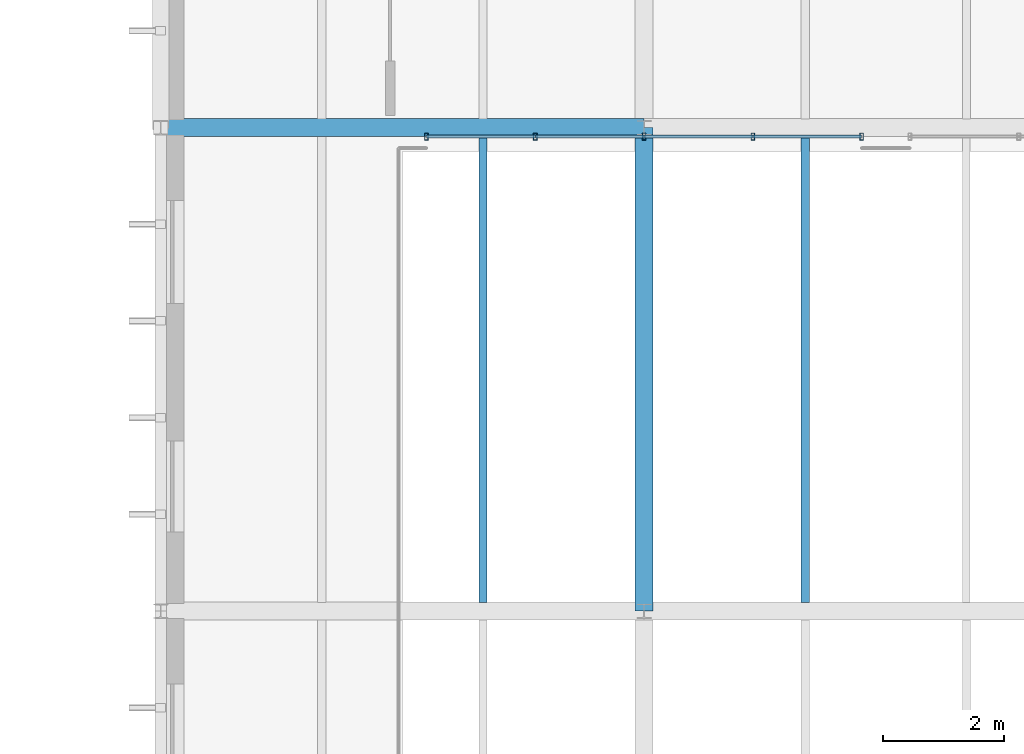
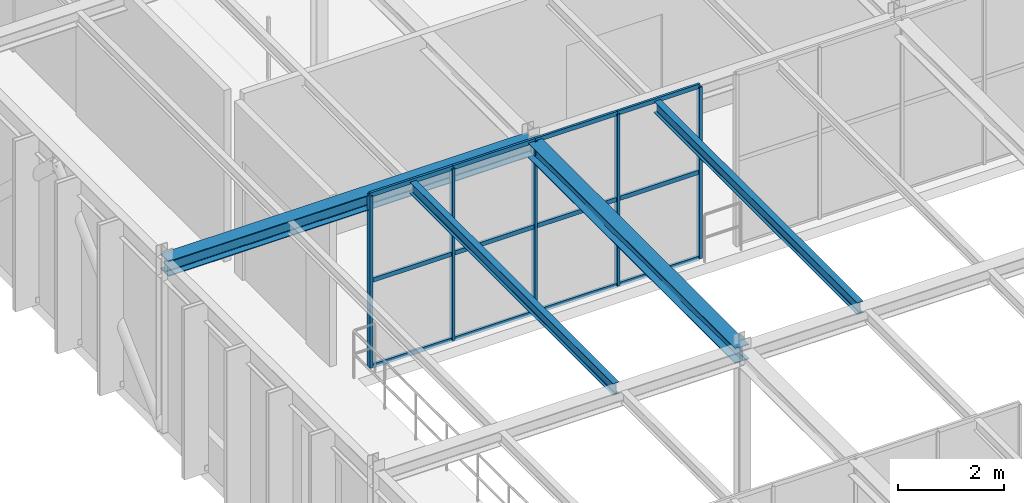
# One storey, part 56 of 124: 17 members, 4 beams, 1 element without a shape of its own.
"""IFC4 building model written with IfcOpenShell, lengths in metres."""

from ifc_helpers import new_model, si_unit, direction, frame, origin, origin_2d, place, context, subcontext, project, spatial, hollow_rectangle, i_section, extrude, material, material_profile, profile_set, type_object, element, aggregate, save


model = new_model("IFC4")

# Units and contexts
model_context = context("Model", 3, precision=1e-05, world=origin(), true_north=direction((0.0, 1.0)))
body_context = subcontext(model_context, "Body", "Model", "MODEL_VIEW")
ifc_project = project(units=[si_unit("LENGTHUNIT", "METRE"), si_unit("AREAUNIT", "SQUARE_METRE"), si_unit("VOLUMEUNIT", "CUBIC_METRE"), si_unit("PLANEANGLEUNIT", "RADIAN"), si_unit("MASSUNIT", "GRAM", prefix="KILO")], contexts=[model_context])

# Site, building, storey
site_placement = place(None, origin())
site = spatial("IfcSite", under=ifc_project, at=site_placement, CompositionType="ELEMENT")
building_placement = place(site_placement, origin())
building = spatial("IfcBuilding", under=site, at=building_placement, Name="Sundkrona Museum", CompositionType="ELEMENT")
storey_placement = place(building_placement, frame((0.0, 0.0, 17.60009765625)))
storey = spatial("IfcBuildingStorey", under=building, at=storey_placement, Name="L03", CompositionType="ELEMENT", Elevation=17.60009765625)

# Beams
ifc_material_1 = material(Name="Steel S355J2", Category="steel")
ifc_material_profile_1 = material_profile(ifc_material_1, i_section(OverallWidth=0.300048828125, OverallDepth=0.35009765625, WebThickness=0.010009765625, FlangeThickness=0.017578125, FilletRadius=0.027099609375, at=origin_2d()), Name="HEA 360")
ifc_profile_set_1 = profile_set([ifc_material_profile_1], Name="Steel S355J2")
beam_type_1 = type_object("IfcBeamType", Name="B-HEA360", PredefinedType="BEAM", material=ifc_profile_set_1)
for number, where, z_axis, x_axis, name in (
    (1, (16.0, 94.0, 3.784912109375), (1.0, 0.0, 0.0), (0.0, 1.0, 0.0), "L03 Girder X-1508"),
    (2, (24.0, 86.0, 3.784912109375), (0.0, 1.0, 0.0), (-1.0, 0.0, 0.0), "L03 Girder Y-1564"),
):
    element("IfcBeam", number, at=place(storey_placement, frame(where, z_axis=z_axis, x_axis=x_axis)), inside=storey, type_object=beam_type_1, Name=name, PredefinedType="BEAM", context=body_context, shape_type="SweptSolid", body=[
        extrude(i_section(OverallWidth=0.300048828125, OverallDepth=0.35009765625, WebThickness=0.010009765625, FlangeThickness=0.017578125, FilletRadius=0.027099609375, at=origin_2d()), origin(), (0.0, 0.0, 1.0), 8.0),
    ])
ifc_material_profile_2 = material_profile(ifc_material_1, i_section(OverallWidth=0.135009765625, OverallDepth=0.27001953125, WebThickness=0.006591796875, FlangeThickness=0.01025390625, FilletRadius=0.014892578125, at=origin_2d()), Name="IPE 270")
ifc_profile_set_2 = profile_set([ifc_material_profile_2], Name="Steel S355J2")
beam_type_2 = type_object("IfcBeamType", Name="J-IPE270", PredefinedType="JOIST", material=ifc_profile_set_2)
for number, where, z_axis, x_axis, name in (
    (3, (21.333251953125, 86.14404296875, 3.824951171875), (0.0, 1.0, 0.0), (-1.0, 0.0, 0.0), "L03 Composite Joist 0972"),
    (4, (26.666748046875, 86.14404296875, 3.824951171875), (0.0, 1.0, 0.0), (-1.0, 0.0, 0.0), "L03 Composite Joist 0984"),
):
    element("IfcBeam", number, at=place(storey_placement, frame(where, z_axis=z_axis, x_axis=x_axis)), inside=storey, type_object=beam_type_2, Name=name, PredefinedType="JOIST", context=body_context, shape_type="SweptSolid", body=[
        extrude(i_section(OverallWidth=0.135009765625, OverallDepth=0.27001953125, WebThickness=0.006591796875, FlangeThickness=0.01025390625, FilletRadius=0.014892578125, at=origin_2d()), origin(), (0.0, 0.0, 1.0), 7.7119140625),
    ])

# Curtain wall, members
ifc_material_2 = material(Name="Unitised Aluminium-Steel and Ceramic-Clad Curtain Walling", Category="steel")
curtain_wall_type = type_object("IfcCurtainWallType", Name="CW-CL-64x38", PredefinedType="NOTDEFINED", material=ifc_material_2)
curtain_wall_placement = place(storey_placement, origin())
curtain_wall = element("IfcCurtainWall", 5, at=curtain_wall_placement, inside=storey, type_object=curtain_wall_type, Name="L03 Curtain Wall CW-L03-137", PredefinedType="NOTDEFINED")
ifc_material_3 = material(Name="Aluminium EN AW-6060 T66", Category="aluminium")
ifc_material_profile_3 = material_profile(ifc_material_3, hollow_rectangle(XDim=0.06005859375, YDim=0.1201171875, WallThickness=0.0048828125, at=origin_2d()), Name="RHS 120x60x5.0")
ifc_profile_set_3 = profile_set([ifc_material_profile_3], Name="Aluminium EN AW-6060 T66")
member_type_1 = type_object("IfcMemberType", Name="ML-120", PredefinedType="MULLION", material=ifc_profile_set_3)
member_1_placement = place(storey_placement, frame((20.39990234375, 93.85009765625, -0.004150390625), z_axis=(0.0, 0.0, 1.0), x_axis=(1.0, 0.0, 0.0)))
member_1 = element("IfcMember", 6, at=member_1_placement, type_object=member_type_1, Name="CW-L03-137 Mullion 01", PredefinedType="MULLION", context=body_context, shape_type="SweptSolid", body=[
    extrude(hollow_rectangle(XDim=0.06005859375, YDim=0.1201171875, WallThickness=0.0048828125, at=origin_2d()), origin(), (0.0, 0.0, 1.0), 3.968017578125),
])
member_2_placement = place(storey_placement, frame((22.199951171875, 93.85009765625, -0.004150390625), z_axis=(0.0, 0.0, 1.0), x_axis=(1.0, 0.0, 0.0)))
member_2 = element("IfcMember", 7, at=member_2_placement, type_object=member_type_1, Name="CW-L03-137 Mullion 02", PredefinedType="MULLION", context=body_context, shape_type="SweptSolid", body=[
    extrude(hollow_rectangle(XDim=0.06005859375, YDim=0.1201171875, WallThickness=0.0048828125, at=origin_2d()), origin(), (0.0, 0.0, 1.0), 3.968017578125),
])
member_3_placement = place(storey_placement, frame((24.0, 93.85009765625, -0.004150390625), z_axis=(0.0, 0.0, 1.0), x_axis=(1.0, 0.0, 0.0)))
member_3 = element("IfcMember", 8, at=member_3_placement, type_object=member_type_1, Name="CW-L03-137 Mullion 03", PredefinedType="MULLION", context=body_context, shape_type="SweptSolid", body=[
    extrude(hollow_rectangle(XDim=0.06005859375, YDim=0.1201171875, WallThickness=0.0048828125, at=origin_2d()), origin(), (0.0, 0.0, 1.0), 3.968017578125),
])
member_4_placement = place(storey_placement, frame((25.800048828125, 93.85009765625, -0.004150390625), z_axis=(0.0, 0.0, 1.0), x_axis=(1.0, 0.0, 0.0)))
member_4 = element("IfcMember", 9, at=member_4_placement, type_object=member_type_1, Name="CW-L03-137 Mullion 04", PredefinedType="MULLION", context=body_context, shape_type="SweptSolid", body=[
    extrude(hollow_rectangle(XDim=0.06005859375, YDim=0.1201171875, WallThickness=0.0048828125, at=origin_2d()), origin(), (0.0, 0.0, 1.0), 3.968017578125),
])
member_5_placement = place(storey_placement, frame((27.60009765625, 93.85009765625, -0.004150390625), z_axis=(0.0, 0.0, 1.0), x_axis=(1.0, 0.0, 0.0)))
member_5 = element("IfcMember", 10, at=member_5_placement, type_object=member_type_1, Name="CW-L03-137 Mullion 05", PredefinedType="MULLION", context=body_context, shape_type="SweptSolid", body=[
    extrude(hollow_rectangle(XDim=0.06005859375, YDim=0.1201171875, WallThickness=0.0048828125, at=origin_2d()), origin(), (0.0, 0.0, 1.0), 3.968017578125),
])
ifc_material_profile_4 = material_profile(ifc_material_3, hollow_rectangle(XDim=0.050048828125, YDim=0.10009765625, WallThickness=0.0048828125, at=origin_2d()), Name="RHS 100x50x5.0")
ifc_profile_set_4 = profile_set([ifc_material_profile_4], Name="Aluminium EN AW-6060 T66")
member_type_2 = type_object("IfcMemberType", Name="TR-100", PredefinedType="USERDEFINED", material=ifc_profile_set_4)
member_6_placement = place(storey_placement, frame((20.39990234375, 93.85009765625, -0.004150390625), z_axis=(1.0, 0.0, 0.0), x_axis=(0.0, 1.0, 0.0)))
member_6 = element("IfcMember", 11, at=member_6_placement, type_object=member_type_2, Name="CW-L03-137 Transom 01", ObjectType="TRANSOM", PredefinedType="USERDEFINED", context=body_context, shape_type="SweptSolid", body=[
    extrude(hollow_rectangle(XDim=0.050048828125, YDim=0.10009765625, WallThickness=0.0048828125, at=origin_2d()), origin(), (0.0, 0.0, 1.0), 1.800048828125),
])
member_7_placement = place(storey_placement, frame((20.39990234375, 93.85009765625, 1.97998046875), z_axis=(1.0, 0.0, 0.0), x_axis=(0.0, 1.0, 0.0)))
member_7 = element("IfcMember", 12, at=member_7_placement, type_object=member_type_2, Name="CW-L03-137 Transom 02", ObjectType="TRANSOM", PredefinedType="USERDEFINED", context=body_context, shape_type="SweptSolid", body=[
    extrude(hollow_rectangle(XDim=0.050048828125, YDim=0.10009765625, WallThickness=0.0048828125, at=origin_2d()), origin(), (0.0, 0.0, 1.0), 1.800048828125),
])
member_8_placement = place(storey_placement, frame((20.39990234375, 93.85009765625, 3.9638671875), z_axis=(1.0, 0.0, 0.0), x_axis=(0.0, 1.0, 0.0)))
member_8 = element("IfcMember", 13, at=member_8_placement, type_object=member_type_2, Name="CW-L03-137 Transom 03", ObjectType="TRANSOM", PredefinedType="USERDEFINED", context=body_context, shape_type="SweptSolid", body=[
    extrude(hollow_rectangle(XDim=0.050048828125, YDim=0.10009765625, WallThickness=0.0048828125, at=origin_2d()), origin(), (0.0, 0.0, 1.0), 1.800048828125),
])
member_9_placement = place(storey_placement, frame((22.199951171875, 93.85009765625, -0.004150390625), z_axis=(1.0, 0.0, 0.0), x_axis=(0.0, 1.0, 0.0)))
member_9 = element("IfcMember", 14, at=member_9_placement, type_object=member_type_2, Name="CW-L03-137 Transom 04", ObjectType="TRANSOM", PredefinedType="USERDEFINED", context=body_context, shape_type="SweptSolid", body=[
    extrude(hollow_rectangle(XDim=0.050048828125, YDim=0.10009765625, WallThickness=0.0048828125, at=origin_2d()), origin(), (0.0, 0.0, 1.0), 1.800048828125),
])
member_10_placement = place(storey_placement, frame((22.199951171875, 93.85009765625, 1.97998046875), z_axis=(1.0, 0.0, 0.0), x_axis=(0.0, 1.0, 0.0)))
member_10 = element("IfcMember", 15, at=member_10_placement, type_object=member_type_2, Name="CW-L03-137 Transom 05", ObjectType="TRANSOM", PredefinedType="USERDEFINED", context=body_context, shape_type="SweptSolid", body=[
    extrude(hollow_rectangle(XDim=0.050048828125, YDim=0.10009765625, WallThickness=0.0048828125, at=origin_2d()), origin(), (0.0, 0.0, 1.0), 1.800048828125),
])
member_11_placement = place(storey_placement, frame((22.199951171875, 93.85009765625, 3.9638671875), z_axis=(1.0, 0.0, 0.0), x_axis=(0.0, 1.0, 0.0)))
member_11 = element("IfcMember", 16, at=member_11_placement, type_object=member_type_2, Name="CW-L03-137 Transom 06", ObjectType="TRANSOM", PredefinedType="USERDEFINED", context=body_context, shape_type="SweptSolid", body=[
    extrude(hollow_rectangle(XDim=0.050048828125, YDim=0.10009765625, WallThickness=0.0048828125, at=origin_2d()), origin(), (0.0, 0.0, 1.0), 1.800048828125),
])
member_12_placement = place(storey_placement, frame((24.0, 93.85009765625, -0.004150390625), z_axis=(1.0, 0.0, 0.0), x_axis=(0.0, 1.0, 0.0)))
member_12 = element("IfcMember", 17, at=member_12_placement, type_object=member_type_2, Name="CW-L03-137 Transom 07", ObjectType="TRANSOM", PredefinedType="USERDEFINED", context=body_context, shape_type="SweptSolid", body=[
    extrude(hollow_rectangle(XDim=0.050048828125, YDim=0.10009765625, WallThickness=0.0048828125, at=origin_2d()), origin(), (0.0, 0.0, 1.0), 1.800048828125),
])
member_13_placement = place(storey_placement, frame((24.0, 93.85009765625, 1.97998046875), z_axis=(1.0, 0.0, 0.0), x_axis=(0.0, 1.0, 0.0)))
member_13 = element("IfcMember", 18, at=member_13_placement, type_object=member_type_2, Name="CW-L03-137 Transom 08", ObjectType="TRANSOM", PredefinedType="USERDEFINED", context=body_context, shape_type="SweptSolid", body=[
    extrude(hollow_rectangle(XDim=0.050048828125, YDim=0.10009765625, WallThickness=0.0048828125, at=origin_2d()), origin(), (0.0, 0.0, 1.0), 1.800048828125),
])
member_14_placement = place(storey_placement, frame((24.0, 93.85009765625, 3.9638671875), z_axis=(1.0, 0.0, 0.0), x_axis=(0.0, 1.0, 0.0)))
member_14 = element("IfcMember", 19, at=member_14_placement, type_object=member_type_2, Name="CW-L03-137 Transom 09", ObjectType="TRANSOM", PredefinedType="USERDEFINED", context=body_context, shape_type="SweptSolid", body=[
    extrude(hollow_rectangle(XDim=0.050048828125, YDim=0.10009765625, WallThickness=0.0048828125, at=origin_2d()), origin(), (0.0, 0.0, 1.0), 1.800048828125),
])
member_15_placement = place(storey_placement, frame((25.800048828125, 93.85009765625, -0.004150390625), z_axis=(1.0, 0.0, 0.0), x_axis=(0.0, 1.0, 0.0)))
member_15 = element("IfcMember", 20, at=member_15_placement, type_object=member_type_2, Name="CW-L03-137 Transom 10", ObjectType="TRANSOM", PredefinedType="USERDEFINED", context=body_context, shape_type="SweptSolid", body=[
    extrude(hollow_rectangle(XDim=0.050048828125, YDim=0.10009765625, WallThickness=0.0048828125, at=origin_2d()), origin(), (0.0, 0.0, 1.0), 1.800048828125),
])
member_16_placement = place(storey_placement, frame((25.800048828125, 93.85009765625, 1.97998046875), z_axis=(1.0, 0.0, 0.0), x_axis=(0.0, 1.0, 0.0)))
member_16 = element("IfcMember", 21, at=member_16_placement, type_object=member_type_2, Name="CW-L03-137 Transom 11", ObjectType="TRANSOM", PredefinedType="USERDEFINED", context=body_context, shape_type="SweptSolid", body=[
    extrude(hollow_rectangle(XDim=0.050048828125, YDim=0.10009765625, WallThickness=0.0048828125, at=origin_2d()), origin(), (0.0, 0.0, 1.0), 1.800048828125),
])
member_17_placement = place(storey_placement, frame((25.800048828125, 93.85009765625, 3.9638671875), z_axis=(1.0, 0.0, 0.0), x_axis=(0.0, 1.0, 0.0)))
member_17 = element("IfcMember", 22, at=member_17_placement, type_object=member_type_2, Name="CW-L03-137 Transom 12", ObjectType="TRANSOM", PredefinedType="USERDEFINED", context=body_context, shape_type="SweptSolid", body=[
    extrude(hollow_rectangle(XDim=0.050048828125, YDim=0.10009765625, WallThickness=0.0048828125, at=origin_2d()), origin(), (0.0, 0.0, 1.0), 1.800048828125),
])
aggregate(curtain_wall, [member_1, member_2, member_3, member_4, member_5, member_6, member_7, member_8, member_9, member_10, member_11, member_12, member_13, member_14, member_15, member_16, member_17])

save(model, "model.ifc")
